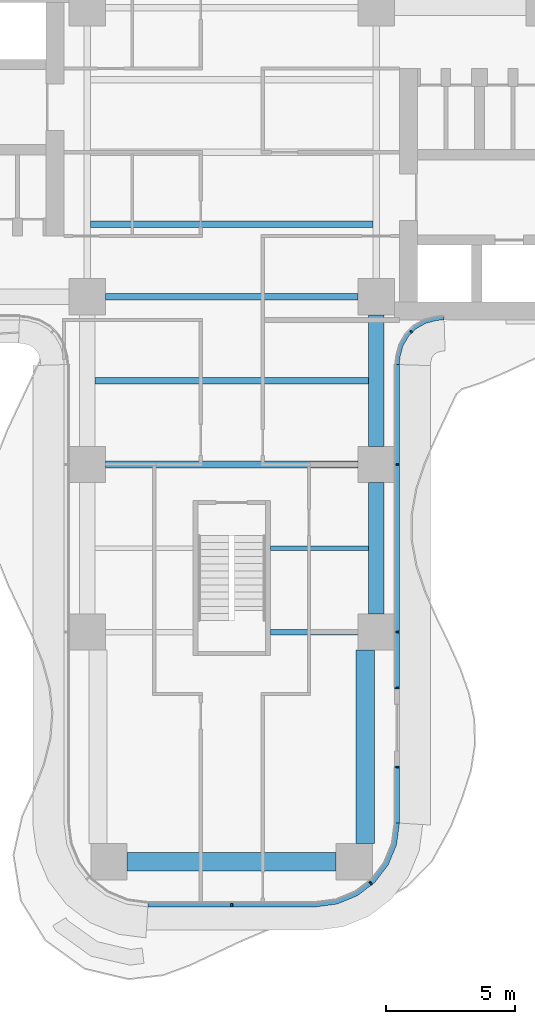
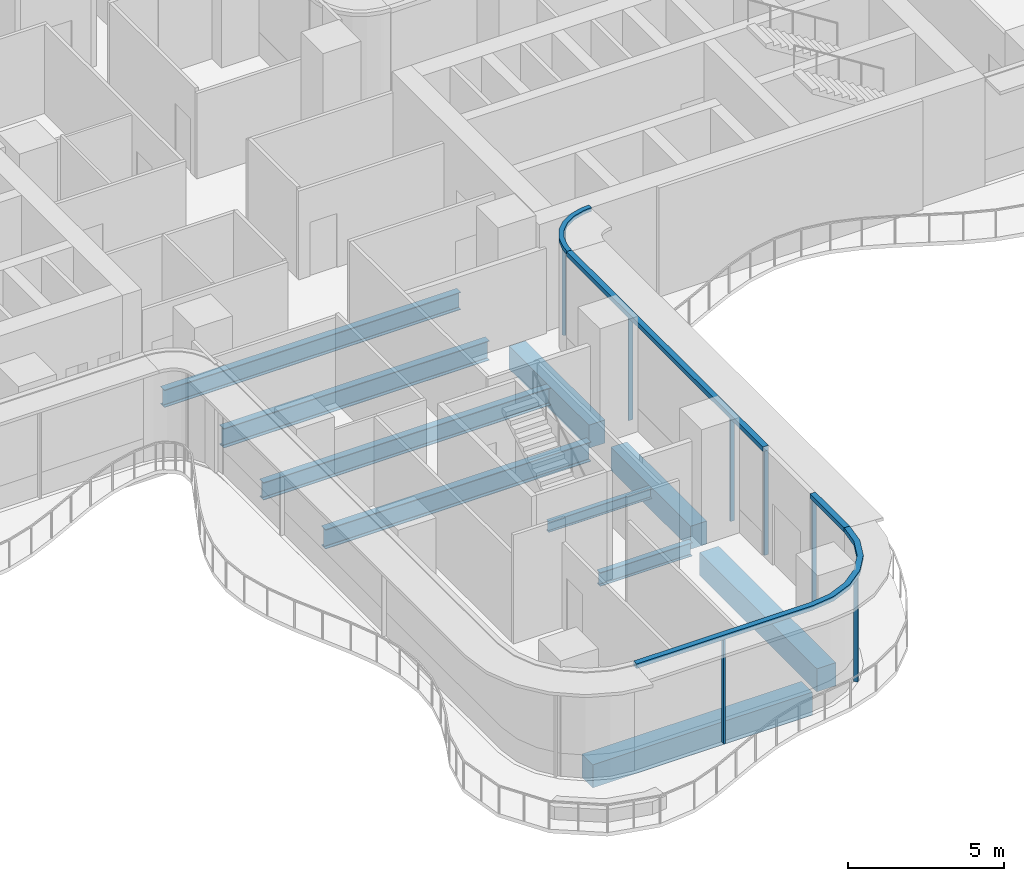
# One storey, part 5 of 23: 11 members, 10 beams, 4 elements without a shape of their own.
"""IFC4 building model written with IfcOpenShell, lengths in metres."""

from ifc_helpers import new_model, si_unit, direction, frame, origin, origin_2d, place, context, subcontext, project, spatial, polyline, rectangle, i_section, outline, extrude, source, transform, mapped, material, layer, layer_set, material_profile, profile_set, type_object, element, aggregate, save


model = new_model("IFC4")

# Units and contexts
model_context = context("Model", 3, precision=1e-05, world=origin(), true_north=direction((0.0, 1.0)))
body_context = subcontext(model_context, "Body", "Model", "MODEL_VIEW")
ifc_project = project(units=[si_unit("LENGTHUNIT", "METRE"), si_unit("AREAUNIT", "SQUARE_METRE"), si_unit("VOLUMEUNIT", "CUBIC_METRE"), si_unit("PLANEANGLEUNIT", "RADIAN"), si_unit("MASSUNIT", "GRAM", prefix="KILO")], contexts=[model_context])

# Site, building, storey
site_placement = place(None, origin())
site = spatial("IfcSite", under=ifc_project, at=site_placement, CompositionType="ELEMENT")
building_placement = place(site_placement, origin())
building = spatial("IfcBuilding", under=site, at=building_placement, Name="Trellis Farm Tower", CompositionType="ELEMENT")
storey_placement = place(building_placement, frame((0.0, 0.0, 74.5)))
storey = spatial("IfcBuildingStorey", under=building, at=storey_placement, Name="L15", CompositionType="ELEMENT", Elevation=74.5)

# Beams
ifc_material_1 = material(Name="Steel S355", Category="steel")
ifc_material_profile_1 = material_profile(ifc_material_1, i_section(OverallWidth=0.253662109375, OverallDepth=0.68359375, WebThickness=0.012451171875, FlangeThickness=0.021728515625, FilletRadius=0.01513671875, at=origin_2d()), Name="UB 686x254x140")
ifc_profile_set_1 = profile_set([ifc_material_profile_1], Name="Steel S355")
beam_type_1 = type_object("IfcBeamType", Name="UB 686x254x140 joist", PredefinedType="JOIST", material=ifc_profile_set_1)
shared_shape_1 = source(origin(), body_context, "Body", "SweptSolid", [
    extrude(i_section(OverallWidth=0.253662109375, OverallDepth=0.68359375, WebThickness=0.012451171875, FlangeThickness=0.021728515625, FilletRadius=0.01513671875, at=origin_2d()), origin(), (0.0, 0.0, 1.0), 10.93310546875),
])
beam_1_placement = place(storey_placement, frame((-5.466552734375, -2.800048828125, -0.591796875), z_axis=(1.0, 0.0, 0.0), x_axis=(0.0, 1.0, 0.0)))
element("IfcBeam", 1, at=beam_1_placement, inside=storey, type_object=beam_type_1, Name="Floor beam", PredefinedType="JOIST", context=body_context, shape_type="MappedRepresentation", body=[
    mapped(shared_shape_1, transform((0.0, 0.0, 0.0))),
])
ifc_material_profile_2 = material_profile(ifc_material_1, i_section(OverallWidth=0.209228515625, OverallDepth=0.533203125, WebThickness=0.010009765625, FlangeThickness=0.015625, FilletRadius=0.0126953125, at=origin_2d()), Name="UB 533x210x92")
ifc_profile_set_2 = profile_set([ifc_material_profile_2], Name="Steel S355")
beam_type_2 = type_object("IfcBeamType", Name="UB 533x210x92", PredefinedType="BEAM", material=ifc_profile_set_2)
shared_shape_2 = source(origin(), body_context, "Body", "SweptSolid", [
    extrude(i_section(OverallWidth=0.209228515625, OverallDepth=0.533203125, WebThickness=0.010009765625, FlangeThickness=0.015625, FilletRadius=0.0126953125, at=origin_2d()), origin(), (0.0, 0.0, 1.0), 3.39990234375),
])
beam_2_placement = place(storey_placement, frame((1.5, -18.60009765625, -0.5166015625), z_axis=(1.0, 0.0, 0.0), x_axis=(0.0, 1.0, 0.0)))
element("IfcBeam", 2, at=beam_2_placement, inside=storey, type_object=beam_type_2, Name="Girder", PredefinedType="BEAM", context=body_context, shape_type="MappedRepresentation", body=[
    mapped(shared_shape_2, transform((0.0, 0.0, 0.0))),
])
ifc_material_2 = material(Name="Concrete C60/75", Category="concrete")
ifc_material_profile_3 = material_profile(ifc_material_2, rectangle(XDim=0.60009765625, YDim=0.89990234375, at=origin_2d()), Name="RC spandrel beam 600x900 C60/75")
ifc_profile_set_3 = profile_set([ifc_material_profile_3], Name="Concrete C60/75")
beam_type_3 = type_object("IfcBeamType", Name="RC spandrel beam 600x900 C60/75", PredefinedType="SPANDREL", material=ifc_profile_set_3)
shared_shape_3 = source(origin(), body_context, "Body", "SweptSolid", [
    extrude(rectangle(XDim=0.60009765625, YDim=0.89990234375, at=origin_2d()), origin(), (0.0, 0.0, 1.0), 5.099853515625),
])
for number, where, z_axis, x_axis, name in (
    (3, (5.60009765625, -17.89990234375, -0.699951171875), (0.0, 1.0, 0.0), (-1.0, 0.0, 0.0), "Girder"),
    (4, (5.60009765625, -11.39990234375, -0.699951171875), (0.0, 1.0, 0.0), (-1.0, 0.0, 0.0), "Girder"),
):
    element("IfcBeam", number, at=place(storey_placement, frame(where, z_axis=z_axis, x_axis=x_axis)), inside=storey, type_object=beam_type_3, Name=name, PredefinedType="SPANDREL", context=body_context, shape_type="MappedRepresentation", body=[
        mapped(shared_shape_3, transform((0.0, 0.0, 0.0))),
    ])
ifc_material_profile_4 = material_profile(ifc_material_1, i_section(OverallWidth=0.2666015625, OverallDepth=0.76220703125, WebThickness=0.014404296875, FlangeThickness=0.021484375, FilletRadius=0.0166015625, at=origin_2d()), Name="UB 762x267x173")
ifc_profile_set_4 = profile_set([ifc_material_profile_4], Name="Steel S355")
beam_type_4 = type_object("IfcBeamType", Name="UB 762x267x173", PredefinedType="BEAM", material=ifc_profile_set_4)
shared_shape_4 = source(origin(), body_context, "Body", "SweptSolid", [
    extrude(i_section(OverallWidth=0.2666015625, OverallDepth=0.76220703125, WebThickness=0.014404296875, FlangeThickness=0.021484375, FilletRadius=0.0166015625, at=origin_2d()), origin(), (0.0, 0.0, 1.0), 9.7998046875),
])
for number, where, z_axis, x_axis, name in (
    (5, (-4.89990234375, -12.10009765625, -0.631103515625), (1.0, 0.0, 0.0), (0.0, 1.0, 0.0), "Girder"),
    (6, (-4.89990234375, -5.60009765625, -0.631103515625), (1.0, 0.0, 0.0), (0.0, 1.0, 0.0), "Girder"),
):
    element("IfcBeam", number, at=place(storey_placement, frame(where, z_axis=z_axis, x_axis=x_axis)), inside=storey, type_object=beam_type_4, Name=name, PredefinedType="BEAM", context=body_context, shape_type="MappedRepresentation", body=[
        mapped(shared_shape_4, transform((0.0, 0.0, 0.0))),
    ])
ifc_material_profile_5 = material_profile(ifc_material_2, rectangle(XDim=0.699951171875, YDim=0.89990234375, at=origin_2d()), Name="RC spandrel beam 700x900 C60/75")
ifc_profile_set_5 = profile_set([ifc_material_profile_5], Name="Concrete C60/75")
beam_type_5 = type_object("IfcBeamType", Name="RC spandrel beam 700x900 C60/75", PredefinedType="SPANDREL", material=ifc_profile_set_5)
shared_shape_5 = source(origin(), body_context, "Body", "SweptSolid", [
    extrude(rectangle(XDim=0.699951171875, YDim=0.89990234375, at=origin_2d()), origin(), (0.0, 0.0, 1.0), 8.10009765625),
])
beam_3_placement = place(storey_placement, frame((-4.050048828125, -27.5, -0.699951171875), z_axis=(1.0, 0.0, 0.0), x_axis=(0.0, 1.0, 0.0)))
element("IfcBeam", 7, at=beam_3_placement, inside=storey, type_object=beam_type_5, Name="Girder", PredefinedType="SPANDREL", context=body_context, shape_type="MappedRepresentation", body=[
    mapped(shared_shape_5, transform((0.0, 0.0, 0.0))),
])
shared_shape_6 = source(origin(), body_context, "Body", "SweptSolid", [
    extrude(rectangle(XDim=0.699951171875, YDim=0.89990234375, at=origin_2d()), origin(), (0.0, 0.0, 1.0), 7.5),
])
beam_4_placement = place(storey_placement, frame((5.175048828125, -26.800048828125, -0.699951171875), z_axis=(0.0, 1.0, 0.0), x_axis=(-1.0, 0.0, 0.0)))
element("IfcBeam", 8, at=beam_4_placement, inside=storey, type_object=beam_type_5, Name="Girder", PredefinedType="SPANDREL", context=body_context, shape_type="MappedRepresentation", body=[
    mapped(shared_shape_6, transform((0.0, 0.0, 0.0))),
])
ifc_material_profile_6 = material_profile(ifc_material_1, i_section(OverallWidth=0.177978515625, OverallDepth=0.406494140625, WebThickness=0.0078125, FlangeThickness=0.0126953125, FilletRadius=0.01025390625, at=origin_2d()), Name="UB 406x178x60")
ifc_profile_set_6 = profile_set([ifc_material_profile_6], Name="Steel S355")
beam_type_6 = type_object("IfcBeamType", Name="UB 406x178x60 joist", PredefinedType="JOIST", material=ifc_profile_set_6)
shared_shape_7 = source(origin(), body_context, "Body", "SweptSolid", [
    extrude(i_section(OverallWidth=0.177978515625, OverallDepth=0.406494140625, WebThickness=0.0078125, FlangeThickness=0.0126953125, FilletRadius=0.01025390625, at=origin_2d()), origin(), (0.0, 0.0, 1.0), 3.800048828125),
])
beam_5_placement = place(storey_placement, frame((1.5, -15.35009765625, -0.453125), z_axis=(1.0, 0.0, 0.0), x_axis=(0.0, 1.0, 0.0)))
element("IfcBeam", 9, at=beam_5_placement, inside=storey, type_object=beam_type_6, Name="Floor beam", PredefinedType="JOIST", context=body_context, shape_type="MappedRepresentation", body=[
    mapped(shared_shape_7, transform((0.0, 0.0, 0.0))),
])
shared_shape_8 = source(origin(), body_context, "Body", "SweptSolid", [
    extrude(i_section(OverallWidth=0.253662109375, OverallDepth=0.68359375, WebThickness=0.012451171875, FlangeThickness=0.021728515625, FilletRadius=0.01513671875, at=origin_2d()), origin(), (0.0, 0.0, 1.0), 10.60009765625),
])
beam_6_placement = place(storey_placement, frame((-5.300048828125, -8.85009765625, -0.591796875), z_axis=(1.0, 0.0, 0.0), x_axis=(0.0, 1.0, 0.0)))
element("IfcBeam", 10, at=beam_6_placement, inside=storey, type_object=beam_type_1, Name="Floor beam", PredefinedType="JOIST", context=body_context, shape_type="MappedRepresentation", body=[
    mapped(shared_shape_8, transform((0.0, 0.0, 0.0))),
])

# Curtain wall, members
ifc_material_3 = material(Name="Aluminium and glass curtain wall", Category="aluminium")
ifc_layer_1 = layer(ifc_material_3, 0.18994140625)
ifc_layer_set_1 = layer_set([ifc_layer_1], Name="RIBBON CURTAIN WALL CW1")
curtain_wall_type_1 = type_object("IfcCurtainWallType", Name="RIBBON CURTAIN WALL CW1", PredefinedType="NOTDEFINED", material=ifc_layer_set_1)
placement_1 = place(storey_placement, origin())
curtain_wall_1 = element("IfcCurtainWall", 11, at=placement_1, inside=storey, type_object=curtain_wall_type_1, Name="CW1 003", PredefinedType="NOTDEFINED")
ifc_material_4 = material(Name="Aluminium extrusion 6063-T6", Category="aluminium")
ifc_material_profile_7 = material_profile(ifc_material_4, rectangle(XDim=0.06005859375, YDim=0.14990234375, at=origin_2d()), Name="MULLION 60x150")
ifc_profile_set_7 = profile_set([ifc_material_profile_7], Name="Aluminium extrusion 6063-T6")
member_type_1 = type_object("IfcMemberType", Name="CW1 MULLION 60x150", PredefinedType="MULLION", material=ifc_profile_set_7)
shared_shape_9 = source(origin(), body_context, "Body", "SweptSolid", [
    extrude(rectangle(XDim=0.06005859375, YDim=0.14990234375, at=origin_2d()), origin(), (0.0, 0.0, 1.0), 4.070068359375),
])
member_1_placement = place(storey_placement, frame((0.0, -29.175048828125, 0.0), z_axis=(0.0, 0.0, 1.0), x_axis=(1.0, 0.0, 0.0)))
member_1 = element("IfcMember", 12, at=member_1_placement, type_object=member_type_1, Name="MU1 003-01", PredefinedType="MULLION", context=body_context, shape_type="MappedRepresentation", body=[
    mapped(shared_shape_9, transform((0.0, 0.0, 0.0))),
])
member_2_placement = place(storey_placement, frame((5.385498046875, -28.328369140625, 0.0), z_axis=(0.0, 0.0, 1.0), x_axis=(0.793353340291, 0.608761429009, 0.0)))
member_2 = element("IfcMember", 13, at=member_2_placement, type_object=member_type_1, Name="MU1 003-02", PredefinedType="MULLION", context=body_context, shape_type="MappedRepresentation", body=[
    mapped(shared_shape_9, transform((0.0, 0.0, 0.0))),
])

# Curtain wall, member
curtain_wall_2 = element("IfcCurtainWall", 14, at=placement_1, inside=storey, type_object=curtain_wall_type_1, Name="CW1 004", PredefinedType="NOTDEFINED")
member_3_placement = place(storey_placement, frame((6.425048828125, -23.830078125, 0.0), z_axis=(0.0, 0.0, 1.0), x_axis=(0.0, 1.0, 0.0)))
member_3 = element("IfcMember", 15, at=member_3_placement, type_object=member_type_1, Name="MU1 004-01", PredefinedType="MULLION", context=body_context, shape_type="MappedRepresentation", body=[
    mapped(shared_shape_9, transform((0.0, 0.0, 0.0))),
])

# Curtain wall, members
curtain_wall_3 = element("IfcCurtainWall", 16, at=placement_1, inside=storey, type_object=curtain_wall_type_1, Name="CW1 005", PredefinedType="NOTDEFINED")
member_4_placement = place(storey_placement, frame((6.425048828125, -20.77001953125, 0.0), z_axis=(0.0, 0.0, 1.0), x_axis=(0.0, 1.0, 0.0)))
member_4 = element("IfcMember", 17, at=member_4_placement, type_object=member_type_1, Name="MU1 005-01", PredefinedType="MULLION", context=body_context, shape_type="MappedRepresentation", body=[
    mapped(shared_shape_9, transform((0.0, 0.0, 0.0))),
])
member_5_placement = place(storey_placement, frame((6.425048828125, -18.60009765625, 0.0), z_axis=(0.0, 0.0, 1.0), x_axis=(0.0, 1.0, 0.0)))
member_5 = element("IfcMember", 18, at=member_5_placement, type_object=member_type_1, Name="MU1 005-02", PredefinedType="MULLION", context=body_context, shape_type="MappedRepresentation", body=[
    mapped(shared_shape_9, transform((0.0, 0.0, 0.0))),
])
member_6_placement = place(storey_placement, frame((6.425048828125, -12.10009765625, 0.0), z_axis=(0.0, 0.0, 1.0), x_axis=(0.0, 1.0, 0.0)))
member_6 = element("IfcMember", 19, at=member_6_placement, type_object=member_type_1, Name="MU1 005-03", PredefinedType="MULLION", context=body_context, shape_type="MappedRepresentation", body=[
    mapped(shared_shape_9, transform((0.0, 0.0, 0.0))),
])

# Curtain wall, member
ifc_layer_2 = layer(ifc_material_3, 0.166015625)
ifc_layer_set_2 = layer_set([ifc_layer_2], Name="WINTER GARDEN CURTAIN WALL CW3")
curtain_wall_type_2 = type_object("IfcCurtainWallType", Name="WINTER GARDEN CURTAIN WALL CW3", PredefinedType="NOTDEFINED", material=ifc_layer_set_2)
curtain_wall_4 = element("IfcCurtainWall", 20, at=placement_1, inside=storey, type_object=curtain_wall_type_2, Name="CW3 002", PredefinedType="NOTDEFINED")
ifc_material_profile_8 = material_profile(ifc_material_4, rectangle(XDim=0.050048828125, YDim=0.1201171875, at=origin_2d()), Name="MULLION 50x120")
ifc_profile_set_8 = profile_set([ifc_material_profile_8], Name="Aluminium extrusion 6063-T6")
member_type_2 = type_object("IfcMemberType", Name="CW3 MULLION 50x120", PredefinedType="MULLION", material=ifc_profile_set_8)
shared_shape_10 = source(origin(), body_context, "Body", "SweptSolid", [
    extrude(rectangle(XDim=0.050048828125, YDim=0.1201171875, at=origin_2d()), origin(), (0.0, 0.0, 1.0), 4.10009765625),
])
member_7_placement = place(storey_placement, frame((6.953125, -6.953125, 0.0), z_axis=(0.0, 0.0, 1.0), x_axis=(0.707106781187, 0.707106781187, 0.0)))
member_7 = element("IfcMember", 21, at=member_7_placement, type_object=member_type_2, Name="MU3 002-01", PredefinedType="MULLION", context=body_context, shape_type="MappedRepresentation", body=[
    mapped(shared_shape_10, transform((0.0, 0.0, 0.0))),
])

# Member
ifc_layer_3 = layer(ifc_material_4, 0.199951171875)
ifc_layer_set_3 = layer_set([ifc_layer_3], Name="Aluminium extrusion 6063-T6")
member_type_3 = type_object("IfcMemberType", Name="CW1 TRANSOM 200x180", PredefinedType="USERDEFINED", material=ifc_layer_set_3)
shared_shape_11 = source(origin(), body_context, "Body", "SweptSolid", [
    extrude(outline(polyline([(-3.25, -29.25), (3.25, -29.25), (4.091064453125, -29.13916015625), (4.875, -28.814697265625), (5.548095703125, -28.298095703125), (6.064697265625, -27.625), (6.38916015625, -26.841064453125), (6.5, -26.0), (6.300048828125, -25.98681640625), (6.1943359375, -26.7890625), (5.889892578125, -27.524169921875), (5.405517578125, -28.155517578125), (4.774169921875, -28.639892578125), (4.0390625, -28.9443359375), (3.23681640625, -29.050048828125), (-3.23681640625, -29.050048828125), (-3.25, -29.25)])), origin(), (0.0, 0.0, 1.0), 0.179931640625),
])
placement_2 = place(storey_placement, frame((0.0, 0.0, 4.070068359375)))
member_8 = element("IfcMember", 22, at=placement_2, type_object=member_type_3, Name="TR1 003", ObjectType="TRANSOM", PredefinedType="USERDEFINED", context=body_context, shape_type="MappedRepresentation", body=[
    mapped(shared_shape_11, transform((0.0, 0.0, 0.0))),
])

aggregate(curtain_wall_1, [member_1, member_2, member_8])

ifc_layer_4 = layer(ifc_material_4, 0.169921875)
ifc_layer_set_4 = layer_set([ifc_layer_4], Name="Aluminium extrusion 6063-T6")
member_type_4 = type_object("IfcMemberType", Name="CW3 TRANSOM 170x150", PredefinedType="USERDEFINED", material=ifc_layer_set_4)
shared_shape_12 = source(origin(), body_context, "Body", "SweptSolid", [
    extrude(outline(polyline([(6.5, -8.2314453125), (6.513916015625, -8.01953125), (6.527587890625, -7.91552734375), (6.63671875, -7.508544921875), (6.846923828125, -7.144287109375), (7.144287109375, -6.846923828125), (7.508544921875, -6.63671875), (7.91552734375, -6.527587890625), (8.01953125, -6.513916015625), (8.2314453125, -6.5), (8.225830078125, -6.330078125), (8.0029296875, -6.3447265625), (7.88232421875, -6.360595703125), (7.44287109375, -6.478271484375), (7.0400390625, -6.7109375), (6.7109375, -7.0400390625), (6.478271484375, -7.44287109375), (6.360595703125, -7.88232421875), (6.3447265625, -8.0029296875), (6.330078125, -8.225830078125), (6.5, -8.2314453125)])), origin(), (0.0, 0.0, 1.0), 0.14990234375),
])
member_9_placement = place(storey_placement, frame((0.0, 0.0, 4.10009765625)))
member_9 = element("IfcMember", 23, at=member_9_placement, type_object=member_type_4, Name="TR3 002", ObjectType="TRANSOM", PredefinedType="USERDEFINED", context=body_context, shape_type="MappedRepresentation", body=[
    mapped(shared_shape_12, transform((0.0, 0.0, 0.0))),
])

aggregate(curtain_wall_4, [member_7, member_9])

shared_shape_13 = source(origin(), body_context, "Body", "SweptSolid", [
    extrude(outline(polyline([(6.5, -26.0), (6.5, -23.800048828125), (6.300048828125, -23.800048828125), (6.300048828125, -25.98681640625), (6.5, -26.0)])), origin(), (0.0, 0.0, 1.0), 0.179931640625),
])
member_10 = element("IfcMember", 24, at=placement_2, type_object=member_type_3, Name="TR1 004", ObjectType="TRANSOM", PredefinedType="USERDEFINED", context=body_context, shape_type="MappedRepresentation", body=[
    mapped(shared_shape_13, transform((0.0, 0.0, 0.0))),
])

aggregate(curtain_wall_2, [member_3, member_10])

shared_shape_14 = source(origin(), body_context, "Body", "SweptSolid", [
    extrude(outline(polyline([(6.5, -20.800048828125), (6.5, -8.2314453125), (6.300048828125, -8.224853515625), (6.300048828125, -20.800048828125), (6.5, -20.800048828125)])), origin(), (0.0, 0.0, 1.0), 0.179931640625),
])
member_11 = element("IfcMember", 25, at=placement_2, type_object=member_type_3, Name="TR1 005", ObjectType="TRANSOM", PredefinedType="USERDEFINED", context=body_context, shape_type="MappedRepresentation", body=[
    mapped(shared_shape_14, transform((0.0, 0.0, 0.0))),
])

aggregate(curtain_wall_3, [member_4, member_5, member_6, member_11])

save(model, "model.ifc")
